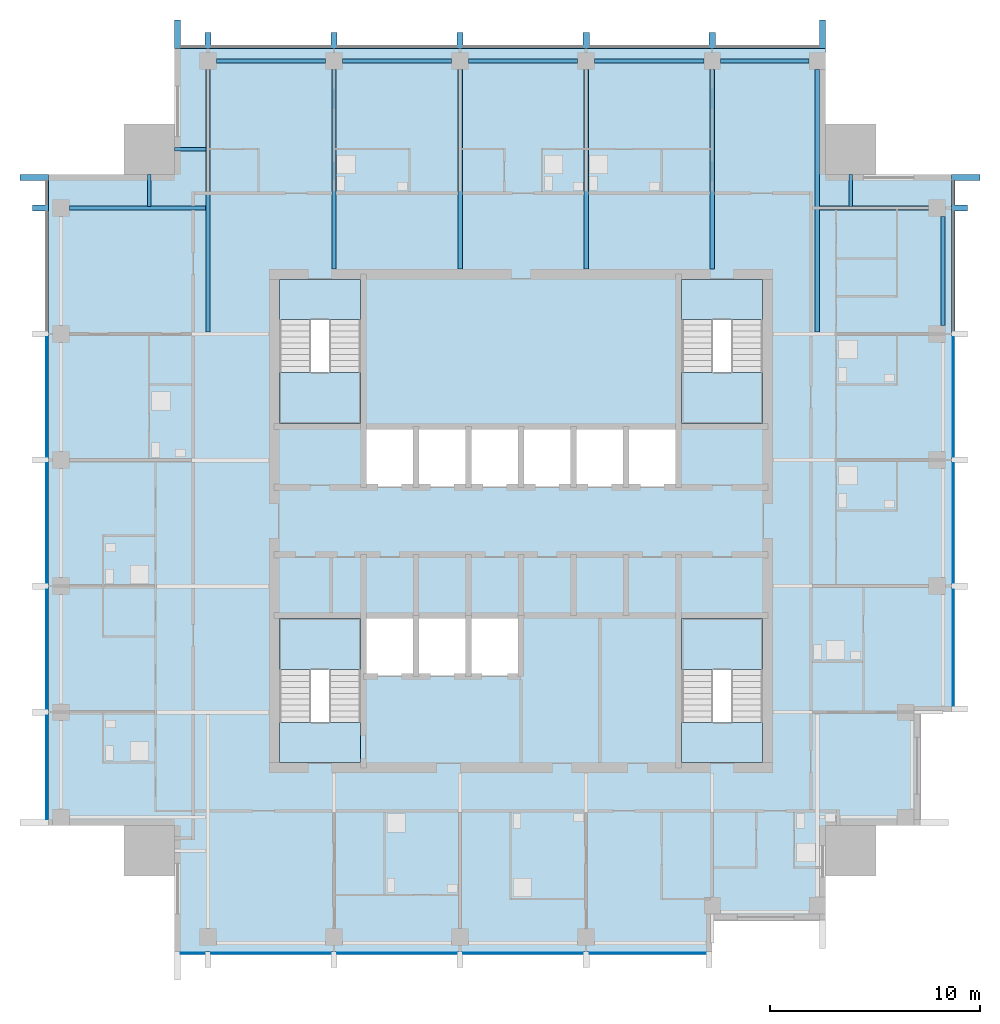
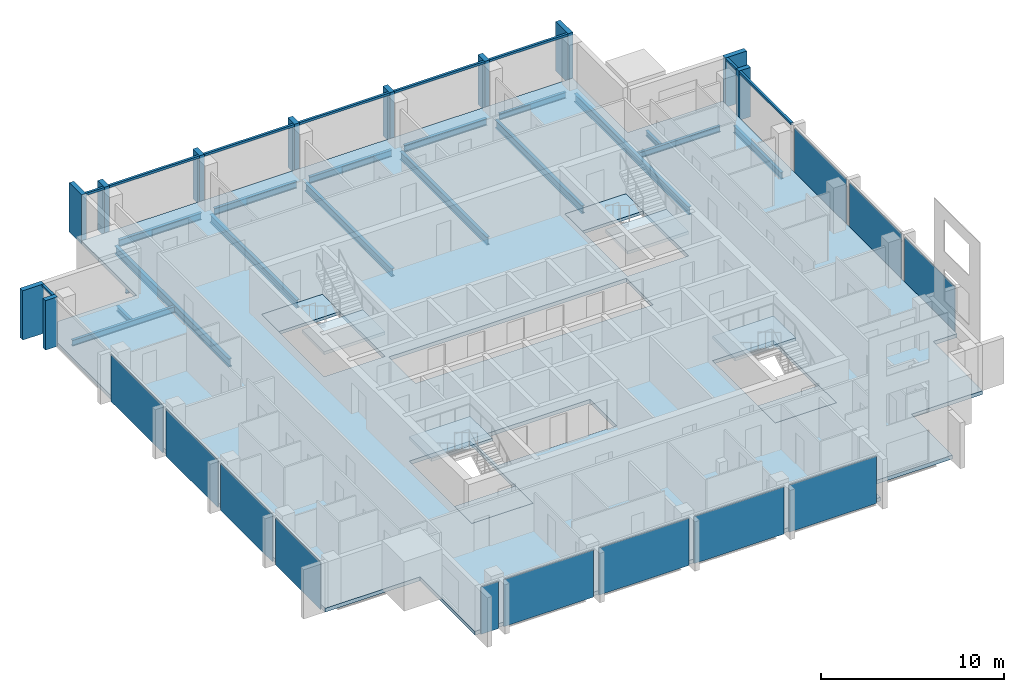
# One storey, part 2 of 9: 20 members, 17 beams, 12 plates, 9 slabs, 8 elements without a shape of their own.
"""IFC4 building model written with IfcOpenShell, lengths in metres."""

from ifc_helpers import new_model, si_unit, direction, frame, origin, origin_2d, place, context, subcontext, project, spatial, polyline, rectangle, i_section, outline, extrude, material, layer, layer_set, material_profile, profile_set, type_object, element, aggregate, save


model = new_model("IFC4")

# Units and contexts
model_context = context("Model", 3, precision=1e-05, world=origin(), true_north=direction((0.0, 1.0)))
body_context = subcontext(model_context, "Body", "Model", "MODEL_VIEW")
ifc_project = project(units=[si_unit("LENGTHUNIT", "METRE"), si_unit("AREAUNIT", "SQUARE_METRE"), si_unit("VOLUMEUNIT", "CUBIC_METRE"), si_unit("PLANEANGLEUNIT", "RADIAN"), si_unit("MASSUNIT", "GRAM", prefix="KILO")], contexts=[model_context])

# Site, building, storey
site_placement = place(None, origin())
site = spatial("IfcSite", under=ifc_project, at=site_placement, CompositionType="ELEMENT")
building_placement = place(site_placement, origin())
building = spatial("IfcBuilding", under=site, at=building_placement, Name="Amberfall Residences", CompositionType="ELEMENT")
storey_placement = place(building_placement, frame((0.0, 0.0, 258.699951171875)))
storey = spatial("IfcBuildingStorey", under=building, at=storey_placement, Name="L69", CompositionType="ELEMENT", Elevation=258.699951171875)

# Curtain wall, members
ifc_material_1 = material(Name="Bronze anodised aluminium and glass", Category="aluminium")
curtain_wall_type = type_object("IfcCurtainWallType", Name="Curtain wall CW1 tower unit", PredefinedType="USERDEFINED", material=ifc_material_1)
curtain_wall_1_placement = place(storey_placement, origin())
curtain_wall_1 = element("IfcCurtainWall", 1, at=curtain_wall_1_placement, inside=storey, type_object=curtain_wall_type, Name="Curtain wall L69 E E3", ObjectType="UNITISED CURTAIN WALL", PredefinedType="USERDEFINED")
ifc_material_2 = material(Name="Bronze anodised aluminium", Category="aluminium")
ifc_material_profile_1 = material_profile(ifc_material_2, rectangle(XDim=0.14990234375, YDim=0.14990234375, at=origin_2d()), Name="CW1 transom 150 x 150 bronze")
ifc_profile_set_1 = profile_set([ifc_material_profile_1], Name="Bronze anodised aluminium")
member_type_1 = type_object("IfcMemberType", Name="CW1 transom 150 x 150 bronze", PredefinedType="USERDEFINED", material=ifc_profile_set_1)
member_1_placement = place(storey_placement, frame((95.074951171875, 54.550048828125, 2.97509765625), z_axis=(0.0, 1.0, 0.0), x_axis=(-1.0, 0.0, 0.0)))
member_1 = element("IfcMember", 2, at=member_1_placement, type_object=member_type_1, Name="CW1 transom 4.1", ObjectType="TRANSOM", PredefinedType="USERDEFINED", context=body_context, shape_type="SweptSolid", body=[
    extrude(rectangle(XDim=0.14990234375, YDim=0.14990234375, at=origin_2d()), origin(), (0.0, 0.0, 1.0), 5.699951171875),
])
member_2_placement = place(storey_placement, frame((95.074951171875, 60.550048828125, 2.97509765625), z_axis=(0.0, 1.0, 0.0), x_axis=(-1.0, 0.0, 0.0)))
member_2 = element("IfcMember", 3, at=member_2_placement, type_object=member_type_1, Name="CW1 transom 5.1", ObjectType="TRANSOM", PredefinedType="USERDEFINED", context=body_context, shape_type="SweptSolid", body=[
    extrude(rectangle(XDim=0.14990234375, YDim=0.14990234375, at=origin_2d()), origin(), (0.0, 0.0, 1.0), 1.14990234375),
])

curtain_wall_2_placement = place(storey_placement, origin())
curtain_wall_2 = element("IfcCurtainWall", 4, at=curtain_wall_2_placement, inside=storey, type_object=curtain_wall_type, Name="Curtain wall L69 N N1", ObjectType="UNITISED CURTAIN WALL", PredefinedType="USERDEFINED")
member_3_placement = place(storey_placement, frame((88.699951171875, 68.074951171875, 2.97509765625), z_axis=(-1.0, 0.0, 0.0), x_axis=(0.0, -1.0, 0.0)))
member_3 = element("IfcMember", 5, at=member_3_placement, type_object=member_type_1, Name="CW1 transom 1.1", ObjectType="TRANSOM", PredefinedType="USERDEFINED", context=body_context, shape_type="SweptSolid", body=[
    extrude(rectangle(XDim=0.14990234375, YDim=0.14990234375, at=origin_2d()), origin(), (0.0, 0.0, 1.0), 4.949951171875),
])
member_4_placement = place(storey_placement, frame((83.449951171875, 68.074951171875, 2.97509765625), z_axis=(-1.0, 0.0, 0.0), x_axis=(0.0, -1.0, 0.0)))
member_4 = element("IfcMember", 6, at=member_4_placement, type_object=member_type_1, Name="CW1 transom 2.1", ObjectType="TRANSOM", PredefinedType="USERDEFINED", context=body_context, shape_type="SweptSolid", body=[
    extrude(rectangle(XDim=0.14990234375, YDim=0.14990234375, at=origin_2d()), origin(), (0.0, 0.0, 1.0), 5.699951171875),
])
member_5_placement = place(storey_placement, frame((77.449951171875, 68.074951171875, 2.97509765625), z_axis=(-1.0, 0.0, 0.0), x_axis=(0.0, -1.0, 0.0)))
member_5 = element("IfcMember", 7, at=member_5_placement, type_object=member_type_1, Name="CW1 transom 3.1", ObjectType="TRANSOM", PredefinedType="USERDEFINED", context=body_context, shape_type="SweptSolid", body=[
    extrude(rectangle(XDim=0.14990234375, YDim=0.14990234375, at=origin_2d()), origin(), (0.0, 0.0, 1.0), 5.699951171875),
])
member_6_placement = place(storey_placement, frame((71.449951171875, 68.074951171875, 2.97509765625), z_axis=(-1.0, 0.0, 0.0), x_axis=(0.0, -1.0, 0.0)))
member_6 = element("IfcMember", 8, at=member_6_placement, type_object=member_type_1, Name="CW1 transom 4.1", ObjectType="TRANSOM", PredefinedType="USERDEFINED", context=body_context, shape_type="SweptSolid", body=[
    extrude(rectangle(XDim=0.14990234375, YDim=0.14990234375, at=origin_2d()), origin(), (0.0, 0.0, 1.0), 5.699951171875),
])
member_7_placement = place(storey_placement, frame((65.449951171875, 68.074951171875, 2.97509765625), z_axis=(-1.0, 0.0, 0.0), x_axis=(0.0, -1.0, 0.0)))
member_7 = element("IfcMember", 9, at=member_7_placement, type_object=member_type_1, Name="CW1 transom 5.1", ObjectType="TRANSOM", PredefinedType="USERDEFINED", context=body_context, shape_type="SweptSolid", body=[
    extrude(rectangle(XDim=0.14990234375, YDim=0.14990234375, at=origin_2d()), origin(), (0.0, 0.0, 1.0), 5.699951171875),
])
member_8_placement = place(storey_placement, frame((59.449951171875, 68.074951171875, 2.97509765625), z_axis=(-1.0, 0.0, 0.0), x_axis=(0.0, -1.0, 0.0)))
member_8 = element("IfcMember", 10, at=member_8_placement, type_object=member_type_1, Name="CW1 transom 6.1", ObjectType="TRANSOM", PredefinedType="USERDEFINED", context=body_context, shape_type="SweptSolid", body=[
    extrude(rectangle(XDim=0.14990234375, YDim=0.14990234375, at=origin_2d()), origin(), (0.0, 0.0, 1.0), 1.14990234375),
])

# Curtain wall, member
curtain_wall_3_placement = place(storey_placement, origin())
curtain_wall_3 = element("IfcCurtainWall", 11, at=curtain_wall_3_placement, inside=storey, type_object=curtain_wall_type, Name="Curtain wall L69 W W1", ObjectType="UNITISED CURTAIN WALL", PredefinedType="USERDEFINED")
member_9_placement = place(storey_placement, frame((51.925048828125, 61.699951171875, 2.97509765625), z_axis=(0.0, -1.0, 0.0), x_axis=(1.0, 0.0, 0.0)))
member_9 = element("IfcMember", 12, at=member_9_placement, type_object=member_type_1, Name="CW1 transom 1.1", ObjectType="TRANSOM", PredefinedType="USERDEFINED", context=body_context, shape_type="SweptSolid", body=[
    extrude(rectangle(XDim=0.14990234375, YDim=0.14990234375, at=origin_2d()), origin(), (0.0, 0.0, 1.0), 1.14990234375),
])

# Member
ifc_material_profile_2 = material_profile(ifc_material_2, rectangle(XDim=1.35009765625, YDim=0.300048828125, at=origin_2d()), Name="Corner fin 300 x 1350 bronze")
ifc_profile_set_2 = profile_set([ifc_material_profile_2], Name="Bronze anodised aluminium")
member_type_2 = type_object("IfcMemberType", Name="Corner fin 300 x 1350 bronze", PredefinedType="MULLION", material=ifc_profile_set_2)
member_10_placement = place(storey_placement, frame((95.675048828125, 61.85009765625, -0.25), z_axis=(0.0, 0.0, 1.0), x_axis=(-1.0, 0.0, 0.0)))
member_10 = element("IfcMember", 13, at=member_10_placement, type_object=member_type_2, Name="CW FIN 6", PredefinedType="MULLION", context=body_context, shape_type="SweptSolid", body=[
    extrude(rectangle(XDim=1.35009765625, YDim=0.300048828125, at=origin_2d()), origin(), (0.0, 0.0, 1.0), 3.300048828125),
])

member_11_placement = place(storey_placement, frame((88.85009765625, 68.675048828125, -0.25), z_axis=(0.0, 0.0, 1.0), x_axis=(0.0, -1.0, 0.0)))
member_11 = element("IfcMember", 14, at=member_11_placement, type_object=member_type_2, Name="CW FIN 1", PredefinedType="MULLION", context=body_context, shape_type="SweptSolid", body=[
    extrude(rectangle(XDim=1.35009765625, YDim=0.300048828125, at=origin_2d()), origin(), (0.0, 0.0, 1.0), 3.300048828125),
])

member_12_placement = place(storey_placement, frame((58.14990234375, 68.675048828125, -0.25), z_axis=(0.0, 0.0, 1.0), x_axis=(0.0, -1.0, 0.0)))
member_12 = element("IfcMember", 15, at=member_12_placement, type_object=member_type_2, Name="CW FIN 7", PredefinedType="MULLION", context=body_context, shape_type="SweptSolid", body=[
    extrude(rectangle(XDim=1.35009765625, YDim=0.300048828125, at=origin_2d()), origin(), (0.0, 0.0, 1.0), 3.300048828125),
])

member_13_placement = place(storey_placement, frame((51.324951171875, 61.85009765625, -0.25), z_axis=(0.0, 0.0, 1.0), x_axis=(1.0, 0.0, 0.0)))
member_13 = element("IfcMember", 16, at=member_13_placement, type_object=member_type_2, Name="CW FIN 1", PredefinedType="MULLION", context=body_context, shape_type="SweptSolid", body=[
    extrude(rectangle(XDim=1.35009765625, YDim=0.300048828125, at=origin_2d()), origin(), (0.0, 0.0, 1.0), 3.300048828125),
])

# Beams
ifc_material_3 = material(Name="Steel S355", Category="steel")
ifc_material_profile_3 = material_profile(ifc_material_3, i_section(OverallWidth=0.177734375, OverallDepth=0.402587890625, WebThickness=0.0078125, FlangeThickness=0.010986328125, FilletRadius=0.01025390625, at=origin_2d()), Name="UB 406x178x54")
ifc_profile_set_3 = profile_set([ifc_material_profile_3], Name="Steel S355")
beam_type_1 = type_object("IfcBeamType", Name="Edge beam UB 406x178x54", PredefinedType="SPANDREL", material=ifc_profile_set_3)
beam_1_placement = place(storey_placement, frame((84.0, 67.39990234375, -0.451171875), z_axis=(1.0, 0.0, 0.0), x_axis=(0.0, 1.0, 0.0)))
element("IfcBeam", 17, at=beam_1_placement, inside=storey, type_object=beam_type_1, Name="Edge beam B14 L69 29", PredefinedType="SPANDREL", context=body_context, shape_type="SweptSolid", body=[
    extrude(i_section(OverallWidth=0.177734375, OverallDepth=0.402587890625, WebThickness=0.0078125, FlangeThickness=0.010986328125, FilletRadius=0.01025390625, at=origin_2d()), origin(), (0.0, 0.0, 1.0), 4.199951171875),
])
ifc_material_profile_4 = material_profile(ifc_material_3, i_section(OverallWidth=0.18994140625, OverallDepth=0.453369140625, WebThickness=0.008544921875, FlangeThickness=0.0126953125, FilletRadius=0.01025390625, at=origin_2d()), Name="UB 457x191x67")
ifc_profile_set_4 = profile_set([ifc_material_profile_4], Name="Steel S355")
beam_type_2 = type_object("IfcBeamType", Name="Edge beam UB 457x191x67", PredefinedType="SPANDREL", material=ifc_profile_set_4)
for number, where, z_axis, x_axis, name in (
    (18, (94.60009765625, 54.800048828125, -0.4765625), (0.0, 1.0, 0.0), (-1.0, 0.0, 0.0), "Edge beam B1 L69 17"),
    (19, (60.0, 67.39990234375, -0.4765625), (1.0, 0.0, 0.0), (0.0, 1.0, 0.0), "Edge beam B1 L69 25"),
    (20, (66.0, 67.39990234375, -0.4765625), (1.0, 0.0, 0.0), (0.0, 1.0, 0.0), "Edge beam B1 L69 26"),
    (21, (72.0, 67.39990234375, -0.4765625), (1.0, 0.0, 0.0), (0.0, 1.0, 0.0), "Edge beam B1 L69 27"),
    (22, (78.0, 67.39990234375, -0.4765625), (1.0, 0.0, 0.0), (0.0, 1.0, 0.0), "Edge beam B1 L69 28"),
):
    element("IfcBeam", number, at=place(storey_placement, frame(where, z_axis=z_axis, x_axis=x_axis)), inside=storey, type_object=beam_type_2, Name=name, PredefinedType="SPANDREL", context=body_context, shape_type="SweptSolid", body=[
        extrude(i_section(OverallWidth=0.18994140625, OverallDepth=0.453369140625, WebThickness=0.008544921875, FlangeThickness=0.0126953125, FilletRadius=0.01025390625, at=origin_2d()), origin(), (0.0, 0.0, 1.0), 5.199951171875),
    ])

# Member
ifc_material_profile_5 = material_profile(ifc_material_2, rectangle(XDim=0.75, YDim=0.300048828125, at=origin_2d()), Name="Fin 300 x 750 bronze")
ifc_profile_set_5 = profile_set([ifc_material_profile_5], Name="Bronze anodised aluminium")
member_type_3 = type_object("IfcMemberType", Name="Fin 300 x 750 bronze", PredefinedType="MULLION", material=ifc_profile_set_5)
member_14_placement = place(storey_placement, frame((95.375, 60.39990234375, -0.25), z_axis=(0.0, 0.0, 1.0), x_axis=(-1.0, 0.0, 0.0)))
member_14 = element("IfcMember", 23, at=member_14_placement, type_object=member_type_3, Name="CW FIN 5", PredefinedType="MULLION", context=body_context, shape_type="SweptSolid", body=[
    extrude(rectangle(XDim=0.75, YDim=0.300048828125, at=origin_2d()), origin(), (0.0, 0.0, 1.0), 3.300048828125),
])

member_15_placement = place(storey_placement, frame((83.60009765625, 68.375, -0.25), z_axis=(0.0, 0.0, 1.0), x_axis=(0.0, -1.0, 0.0)))
member_15 = element("IfcMember", 24, at=member_15_placement, type_object=member_type_3, Name="CW FIN 2", PredefinedType="MULLION", context=body_context, shape_type="SweptSolid", body=[
    extrude(rectangle(XDim=0.75, YDim=0.300048828125, at=origin_2d()), origin(), (0.0, 0.0, 1.0), 3.300048828125),
])

member_16_placement = place(storey_placement, frame((77.60009765625, 68.375, -0.25), z_axis=(0.0, 0.0, 1.0), x_axis=(0.0, -1.0, 0.0)))
member_16 = element("IfcMember", 25, at=member_16_placement, type_object=member_type_3, Name="CW FIN 3", PredefinedType="MULLION", context=body_context, shape_type="SweptSolid", body=[
    extrude(rectangle(XDim=0.75, YDim=0.300048828125, at=origin_2d()), origin(), (0.0, 0.0, 1.0), 3.300048828125),
])

member_17_placement = place(storey_placement, frame((71.60009765625, 68.375, -0.25), z_axis=(0.0, 0.0, 1.0), x_axis=(0.0, -1.0, 0.0)))
member_17 = element("IfcMember", 26, at=member_17_placement, type_object=member_type_3, Name="CW FIN 4", PredefinedType="MULLION", context=body_context, shape_type="SweptSolid", body=[
    extrude(rectangle(XDim=0.75, YDim=0.300048828125, at=origin_2d()), origin(), (0.0, 0.0, 1.0), 3.300048828125),
])

member_18_placement = place(storey_placement, frame((65.60009765625, 68.375, -0.25), z_axis=(0.0, 0.0, 1.0), x_axis=(0.0, -1.0, 0.0)))
member_18 = element("IfcMember", 27, at=member_18_placement, type_object=member_type_3, Name="CW FIN 5", PredefinedType="MULLION", context=body_context, shape_type="SweptSolid", body=[
    extrude(rectangle(XDim=0.75, YDim=0.300048828125, at=origin_2d()), origin(), (0.0, 0.0, 1.0), 3.300048828125),
])

member_19_placement = place(storey_placement, frame((59.60009765625, 68.375, -0.25), z_axis=(0.0, 0.0, 1.0), x_axis=(0.0, -1.0, 0.0)))
member_19 = element("IfcMember", 28, at=member_19_placement, type_object=member_type_3, Name="CW FIN 6", PredefinedType="MULLION", context=body_context, shape_type="SweptSolid", body=[
    extrude(rectangle(XDim=0.75, YDim=0.300048828125, at=origin_2d()), origin(), (0.0, 0.0, 1.0), 3.300048828125),
])

aggregate(curtain_wall_2, [member_11, member_15, member_16, member_17, member_18, member_19, member_12, member_3, member_4, member_5, member_6, member_7, member_8])

member_20_placement = place(storey_placement, frame((51.625, 60.39990234375, -0.25), z_axis=(0.0, 0.0, 1.0), x_axis=(1.0, 0.0, 0.0)))
member_20 = element("IfcMember", 29, at=member_20_placement, type_object=member_type_3, Name="CW FIN 2", PredefinedType="MULLION", context=body_context, shape_type="SweptSolid", body=[
    extrude(rectangle(XDim=0.75, YDim=0.300048828125, at=origin_2d()), origin(), (0.0, 0.0, 1.0), 3.300048828125),
])

# Beams
ifc_material_profile_6 = material_profile(ifc_material_3, i_section(OverallWidth=0.177734375, OverallDepth=0.402587890625, WebThickness=0.0078125, FlangeThickness=0.010986328125, FilletRadius=0.01025390625, at=origin_2d()), Name="UB 406x178x54")
ifc_profile_set_6 = profile_set([ifc_material_profile_6], Name="Steel S355")
beam_type_3 = type_object("IfcBeamType", Name="Floor girder UB 406x178x54", PredefinedType="BEAM", material=ifc_profile_set_6)
beam_2_placement = place(storey_placement, frame((93.89990234375, 60.39990234375, -0.451171875), z_axis=(-1.0, 0.0, 0.0), x_axis=(0.0, -1.0, 0.0)))
element("IfcBeam", 30, at=beam_2_placement, inside=storey, type_object=beam_type_3, Name="Floor girder B4 L69 24", PredefinedType="BEAM", context=body_context, shape_type="SweptSolid", body=[
    extrude(i_section(OverallWidth=0.177734375, OverallDepth=0.402587890625, WebThickness=0.0078125, FlangeThickness=0.010986328125, FilletRadius=0.01025390625, at=origin_2d()), origin(), (0.0, 0.0, 1.0), 5.179931640625),
])
beam_3_placement = place(storey_placement, frame((53.0, 60.39990234375, -0.451171875), z_axis=(1.0, 0.0, 0.0), x_axis=(0.0, 1.0, 0.0)))
element("IfcBeam", 31, at=beam_3_placement, inside=storey, type_object=beam_type_3, Name="Floor girder B4 L69 46", PredefinedType="BEAM", context=body_context, shape_type="SweptSolid", body=[
    extrude(i_section(OverallWidth=0.177734375, OverallDepth=0.402587890625, WebThickness=0.0078125, FlangeThickness=0.010986328125, FilletRadius=0.01025390625, at=origin_2d()), origin(), (0.0, 0.0, 1.0), 6.47998046875),
])
ifc_material_profile_7 = material_profile(ifc_material_3, i_section(OverallWidth=0.210693359375, OverallDepth=0.53955078125, WebThickness=0.01171875, FlangeThickness=0.018798828125, FilletRadius=0.0126953125, at=origin_2d()), Name="UB 533x210x109")
ifc_profile_set_7 = profile_set([ifc_material_profile_7], Name="Steel S355")
beam_type_4 = type_object("IfcBeamType", Name="Floor girder UB 533x210x109", PredefinedType="BEAM", material=ifc_profile_set_7)
beam_4_placement = place(storey_placement, frame((59.60009765625, 67.0, -0.519775390625), z_axis=(0.0, -1.0, 0.0), x_axis=(1.0, 0.0, 0.0)))
element("IfcBeam", 32, at=beam_4_placement, inside=storey, type_object=beam_type_4, Name="Floor girder B2 L69 30", PredefinedType="BEAM", context=body_context, shape_type="SweptSolid", body=[
    extrude(i_section(OverallWidth=0.210693359375, OverallDepth=0.53955078125, WebThickness=0.01171875, FlangeThickness=0.018798828125, FilletRadius=0.0126953125, at=origin_2d()), origin(), (0.0, 0.0, 1.0), 12.50048828125),
])
beam_5_placement = place(storey_placement, frame((88.60009765625, 67.0, -0.519775390625), z_axis=(0.0, -1.0, 0.0), x_axis=(1.0, 0.0, 0.0)))
element("IfcBeam", 33, at=beam_5_placement, inside=storey, type_object=beam_type_4, Name="Floor girder B2 L69 35", PredefinedType="BEAM", context=body_context, shape_type="SweptSolid", body=[
    extrude(i_section(OverallWidth=0.210693359375, OverallDepth=0.53955078125, WebThickness=0.01171875, FlangeThickness=0.018798828125, FilletRadius=0.0126953125, at=origin_2d()), origin(), (0.0, 0.0, 1.0), 12.509521484375),
])
ifc_material_profile_8 = material_profile(ifc_material_3, i_section(OverallWidth=0.209228515625, OverallDepth=0.533203125, WebThickness=0.010009765625, FlangeThickness=0.015625, FilletRadius=0.0126953125, at=origin_2d()), Name="UB 533x210x92")
ifc_profile_set_8 = profile_set([ifc_material_profile_8], Name="Steel S355")
beam_type_5 = type_object("IfcBeamType", Name="Floor girder UB 533x210x92", PredefinedType="BEAM", material=ifc_profile_set_8)
for number, where, z_axis, x_axis, name in (
    (34, (65.60009765625, 67.0, -0.5166015625), (0.0, -1.0, 0.0), (1.0, 0.0, 0.0), "Floor girder B3 L69 31"),
    (35, (71.60009765625, 67.0, -0.5166015625), (0.0, -1.0, 0.0), (1.0, 0.0, 0.0), "Floor girder B3 L69 32"),
    (36, (77.60009765625, 67.0, -0.5166015625), (0.0, -1.0, 0.0), (1.0, 0.0, 0.0), "Floor girder B3 L69 33"),
    (37, (83.60009765625, 67.0, -0.5166015625), (0.0, -1.0, 0.0), (1.0, 0.0, 0.0), "Floor girder B3 L69 34"),
):
    element("IfcBeam", number, at=place(storey_placement, frame(where, z_axis=z_axis, x_axis=x_axis)), inside=storey, type_object=beam_type_5, Name=name, PredefinedType="BEAM", context=body_context, shape_type="SweptSolid", body=[
        extrude(i_section(OverallWidth=0.209228515625, OverallDepth=0.533203125, WebThickness=0.010009765625, FlangeThickness=0.015625, FilletRadius=0.0126953125, at=origin_2d()), origin(), (0.0, 0.0, 1.0), 9.5),
    ])
ifc_material_profile_9 = material_profile(ifc_material_3, i_section(OverallWidth=0.171142578125, OverallDepth=0.351318359375, WebThickness=0.007080078125, FlangeThickness=0.009765625, FilletRadius=0.01025390625, at=origin_2d()), Name="UB 356x171x45")
ifc_profile_set_9 = profile_set([ifc_material_profile_9], Name="Steel S355")
beam_type_6 = type_object("IfcBeamType", Name="Link beam UB 356x171x45", PredefinedType="BEAM", material=ifc_profile_set_9)
beam_6_placement = place(storey_placement, frame((90.199951171875, 62.0, -0.425537109375), z_axis=(0.0, -1.0, 0.0), x_axis=(1.0, 0.0, 0.0)))
element("IfcBeam", 38, at=beam_6_placement, inside=storey, type_object=beam_type_6, Name="Link beam B7 L69 48", PredefinedType="BEAM", context=body_context, shape_type="SweptSolid", body=[
    extrude(i_section(OverallWidth=0.171142578125, OverallDepth=0.351318359375, WebThickness=0.007080078125, FlangeThickness=0.009765625, FilletRadius=0.01025390625, at=origin_2d()), origin(), (0.0, 0.0, 1.0), 1.52099609375),
])
beam_7_placement = place(storey_placement, frame((58.0, 63.199951171875, -0.425537109375), z_axis=(1.0, 0.0, 0.0), x_axis=(0.0, 1.0, 0.0)))
element("IfcBeam", 39, at=beam_7_placement, inside=storey, type_object=beam_type_6, Name="Link beam B7 L69 49", PredefinedType="BEAM", context=body_context, shape_type="SweptSolid", body=[
    extrude(i_section(OverallWidth=0.171142578125, OverallDepth=0.351318359375, WebThickness=0.007080078125, FlangeThickness=0.009765625, FilletRadius=0.01025390625, at=origin_2d()), origin(), (0.0, 0.0, 1.0), 1.504638671875),
])
beam_8_placement = place(storey_placement, frame((56.800048828125, 62.0, -0.425537109375), z_axis=(0.0, -1.0, 0.0), x_axis=(1.0, 0.0, 0.0)))
element("IfcBeam", 40, at=beam_8_placement, inside=storey, type_object=beam_type_6, Name="Link beam B7 L69 50", PredefinedType="BEAM", context=body_context, shape_type="SweptSolid", body=[
    extrude(i_section(OverallWidth=0.171142578125, OverallDepth=0.351318359375, WebThickness=0.007080078125, FlangeThickness=0.009765625, FilletRadius=0.01025390625, at=origin_2d()), origin(), (0.0, 0.0, 1.0), 1.52099609375),
])

# Curtain wall, plates
curtain_wall_4_placement = place(storey_placement, origin())
curtain_wall_4 = element("IfcCurtainWall", 41, at=curtain_wall_4_placement, inside=storey, type_object=curtain_wall_type, Name="Curtain wall L69 S S1", ObjectType="UNITISED CURTAIN WALL", PredefinedType="USERDEFINED")
ifc_material_4 = material(Name="Tinted double glazed unit", Category="glass")
ifc_layer_1 = layer(ifc_material_4, 0.035888671875)
ifc_layer_set_1 = layer_set([ifc_layer_1], Name="CW1 panel 36 glazing")
plate_type = type_object("IfcPlateType", Name="CW1 panel 36 glazing", PredefinedType="CURTAIN_PANEL", material=ifc_layer_set_1)
plate_1_placement = place(storey_placement, frame((58.875, 24.925048828125, -0.25), z_axis=(0.0, 0.0, 1.0), x_axis=(1.0, 0.0, 0.0)))
plate_1 = element("IfcPlate", 42, at=plate_1_placement, type_object=plate_type, Name="CW1 panel 1.1", PredefinedType="CURTAIN_PANEL", context=body_context, shape_type="SweptSolid", body=[
    extrude(rectangle(XDim=1.1259765625, YDim=0.035888671875, at=origin_2d()), origin(), (0.0, 0.0, 1.0), 3.14990234375),
])
plate_2_placement = place(storey_placement, frame((62.60009765625, 24.925048828125, -0.25), z_axis=(0.0, 0.0, 1.0), x_axis=(1.0, 0.0, 0.0)))
plate_2 = element("IfcPlate", 43, at=plate_2_placement, type_object=plate_type, Name="CW1 panel 2.1", PredefinedType="CURTAIN_PANEL", context=body_context, shape_type="SweptSolid", body=[
    extrude(rectangle(XDim=5.676025390625, YDim=0.035888671875, at=origin_2d()), origin(), (0.0, 0.0, 1.0), 3.14990234375),
])
plate_3_placement = place(storey_placement, frame((68.60009765625, 24.925048828125, -0.25), z_axis=(0.0, 0.0, 1.0), x_axis=(1.0, 0.0, 0.0)))
plate_3 = element("IfcPlate", 44, at=plate_3_placement, type_object=plate_type, Name="CW1 panel 3.1", PredefinedType="CURTAIN_PANEL", context=body_context, shape_type="SweptSolid", body=[
    extrude(rectangle(XDim=5.676025390625, YDim=0.035888671875, at=origin_2d()), origin(), (0.0, 0.0, 1.0), 3.14990234375),
])
plate_4_placement = place(storey_placement, frame((74.60009765625, 24.925048828125, -0.25), z_axis=(0.0, 0.0, 1.0), x_axis=(1.0, 0.0, 0.0)))
plate_4 = element("IfcPlate", 45, at=plate_4_placement, type_object=plate_type, Name="CW1 panel 4.1", PredefinedType="CURTAIN_PANEL", context=body_context, shape_type="SweptSolid", body=[
    extrude(rectangle(XDim=5.676025390625, YDim=0.035888671875, at=origin_2d()), origin(), (0.0, 0.0, 1.0), 3.14990234375),
])
plate_5_placement = place(storey_placement, frame((80.52490234375, 24.925048828125, -0.25), z_axis=(0.0, 0.0, 1.0), x_axis=(1.0, 0.0, 0.0)))
plate_5 = element("IfcPlate", 46, at=plate_5_placement, type_object=plate_type, Name="CW1 panel 5.1", PredefinedType="CURTAIN_PANEL", context=body_context, shape_type="SweptSolid", body=[
    extrude(rectangle(XDim=5.52587890625, YDim=0.035888671875, at=origin_2d()), origin(), (0.0, 0.0, 1.0), 3.14990234375),
])
aggregate(curtain_wall_4, [plate_1, plate_2, plate_3, plate_4, plate_5])

# Plate
plate_6_placement = place(storey_placement, frame((95.074951171875, 39.47509765625, -0.25), z_axis=(0.0, 0.0, 1.0), x_axis=(0.0, 1.0, 0.0)))
plate_6 = element("IfcPlate", 47, at=plate_6_placement, type_object=plate_type, Name="CW1 panel 1.1", PredefinedType="CURTAIN_PANEL", context=body_context, shape_type="SweptSolid", body=[
    extrude(rectangle(XDim=5.52587890625, YDim=0.035888671875, at=origin_2d()), origin(), (0.0, 0.0, 1.0), 3.14990234375),
])

plate_7_placement = place(storey_placement, frame((95.074951171875, 45.39990234375, -0.25), z_axis=(0.0, 0.0, 1.0), x_axis=(0.0, 1.0, 0.0)))
plate_7 = element("IfcPlate", 48, at=plate_7_placement, type_object=plate_type, Name="CW1 panel 2.1", PredefinedType="CURTAIN_PANEL", context=body_context, shape_type="SweptSolid", body=[
    extrude(rectangle(XDim=5.676025390625, YDim=0.035888671875, at=origin_2d()), origin(), (0.0, 0.0, 1.0), 3.14990234375),
])

plate_8_placement = place(storey_placement, frame((95.074951171875, 51.39990234375, -0.25), z_axis=(0.0, 0.0, 1.0), x_axis=(0.0, 1.0, 0.0)))
plate_8 = element("IfcPlate", 49, at=plate_8_placement, type_object=plate_type, Name="CW1 panel 3.1", PredefinedType="CURTAIN_PANEL", context=body_context, shape_type="SweptSolid", body=[
    extrude(rectangle(XDim=5.676025390625, YDim=0.035888671875, at=origin_2d()), origin(), (0.0, 0.0, 1.0), 3.14990234375),
])

aggregate(curtain_wall_1, [member_14, member_10, plate_6, plate_7, plate_8, member_1, member_2])

plate_9_placement = place(storey_placement, frame((51.925048828125, 51.39990234375, -0.25), z_axis=(0.0, 0.0, 1.0), x_axis=(0.0, -1.0, 0.0)))
plate_9 = element("IfcPlate", 50, at=plate_9_placement, type_object=plate_type, Name="CW1 panel 3.1", PredefinedType="CURTAIN_PANEL", context=body_context, shape_type="SweptSolid", body=[
    extrude(rectangle(XDim=5.676025390625, YDim=0.035888671875, at=origin_2d()), origin(), (0.0, 0.0, 1.0), 3.14990234375),
])

plate_10_placement = place(storey_placement, frame((51.925048828125, 45.39990234375, -0.25), z_axis=(0.0, 0.0, 1.0), x_axis=(0.0, -1.0, 0.0)))
plate_10 = element("IfcPlate", 51, at=plate_10_placement, type_object=plate_type, Name="CW1 panel 4.1", PredefinedType="CURTAIN_PANEL", context=body_context, shape_type="SweptSolid", body=[
    extrude(rectangle(XDim=5.676025390625, YDim=0.035888671875, at=origin_2d()), origin(), (0.0, 0.0, 1.0), 3.14990234375),
])

plate_11_placement = place(storey_placement, frame((51.925048828125, 39.39990234375, -0.25), z_axis=(0.0, 0.0, 1.0), x_axis=(0.0, -1.0, 0.0)))
plate_11 = element("IfcPlate", 52, at=plate_11_placement, type_object=plate_type, Name="CW1 panel 5.1", PredefinedType="CURTAIN_PANEL", context=body_context, shape_type="SweptSolid", body=[
    extrude(rectangle(XDim=5.676025390625, YDim=0.035888671875, at=origin_2d()), origin(), (0.0, 0.0, 1.0), 3.14990234375),
])

plate_12_placement = place(storey_placement, frame((51.925048828125, 33.77490234375, -0.25), z_axis=(0.0, 0.0, 1.0), x_axis=(0.0, -1.0, 0.0)))
plate_12 = element("IfcPlate", 53, at=plate_12_placement, type_object=plate_type, Name="CW1 panel 6.1", PredefinedType="CURTAIN_PANEL", context=body_context, shape_type="SweptSolid", body=[
    extrude(rectangle(XDim=4.926025390625, YDim=0.035888671875, at=origin_2d()), origin(), (0.0, 0.0, 1.0), 3.14990234375),
])

aggregate(curtain_wall_3, [member_13, member_20, member_9, plate_9, plate_10, plate_11, plate_12])

# Slab
ifc_material_5 = material(Name="Concrete C50", Category="concrete")
ifc_layer_2 = layer(ifc_material_5, 0.25)
ifc_layer_set_2 = layer_set([ifc_layer_2], Name="Floor slab 250 C50")
slab_type_1 = type_object("IfcSlabType", Name="Floor slab 250 C50", PredefinedType="FLOOR", material=ifc_layer_set_2)
slab_1_placement = place(storey_placement, frame((0.0, 0.0, -0.25)))
element("IfcSlab", 54, at=slab_1_placement, inside=storey, type_object=slab_type_1, Name="Floor slab S19 L69", PredefinedType="FLOOR", context=body_context, shape_type="SweptSolid", body=[
    extrude(outline(polyline([(83.60009765625, 26.5), (83.60009765625, 25.0), (58.0, 25.0), (58.0, 31.0), (52.0, 31.0), (52.0, 62.0), (58.0, 62.0), (58.0, 68.0), (89.0, 68.0), (89.0, 62.0), (95.0, 62.0), (95.0, 36.39990234375), (93.5, 36.39990234375), (93.5, 31.0), (89.0, 31.0), (89.0, 26.5), (83.60009765625, 26.5)]), holes=[polyline([(86.0, 34.0), (86.0, 40.85009765625), (82.14990234375, 40.85009765625), (82.14990234375, 34.0), (86.0, 34.0)]), polyline([(86.0, 50.14990234375), (86.0, 57.0), (82.14990234375, 57.0), (82.14990234375, 50.14990234375), (86.0, 50.14990234375)]), polyline([(67.0, 50.0), (67.0, 47.10009765625), (69.5, 47.10009765625), (72.0, 47.10009765625), (74.5, 47.10009765625), (77.0, 47.10009765625), (79.5, 47.10009765625), (82.0, 47.10009765625), (82.0, 50.0), (79.5, 50.0), (77.0, 50.0), (74.5, 50.0), (72.0, 50.0), (69.5, 50.0), (67.0, 50.0)]), polyline([(69.5, 41.0), (67.0, 41.0), (67.0, 38.10009765625), (69.5, 38.10009765625), (72.0, 38.10009765625), (74.5, 38.10009765625), (74.5, 41.0), (72.0, 41.0), (69.5, 41.0)]), polyline([(66.85009765625, 40.85009765625), (63.0, 40.85009765625), (63.0, 34.0), (66.85009765625, 34.0), (66.85009765625, 40.85009765625)]), polyline([(66.85009765625, 57.0), (63.0, 57.0), (63.0, 50.14990234375), (66.85009765625, 50.14990234375), (66.85009765625, 57.0)])]), origin(), (0.0, 0.0, 1.0), 0.25),
])

# Stair, slabs
ifc_material_6 = material(Name="Concrete C40", Category="concrete")
stair_type = type_object("IfcStairType", Name="Exit stair 20 risers 165.0 mm", PredefinedType="HALF_TURN_STAIR", material=ifc_material_6)
stair_1_placement = place(storey_placement, origin())
stair_1 = element("IfcStair", 55, at=stair_1_placement, inside=storey, type_object=stair_type, Name="L69 Exit stair 1", PredefinedType="HALF_TURN_STAIR")
ifc_layer_3 = layer(ifc_material_6, 0.199951171875)
ifc_layer_set_3 = layer_set([ifc_layer_3], Name="Stair landing 200")
slab_type_2 = type_object("IfcSlabType", Name="Stair landing 200", PredefinedType="LANDING", material=ifc_layer_set_3)
slab_2_placement = place(storey_placement, frame((0.0, 0.0, 1.449951171875)))
slab_2 = element("IfcSlab", 56, at=slab_2_placement, type_object=slab_type_2, Name="ST3 landing 1", PredefinedType="LANDING", context=body_context, shape_type="SweptSolid", body=[
    extrude(outline(polyline([(66.85009765625, 38.419921875), (66.85009765625, 40.85009765625), (63.0, 40.85009765625), (63.0, 38.419921875), (66.85009765625, 38.419921875)])), origin(), (0.0, 0.0, 1.0), 0.2001953125),
])
slab_3_placement = place(storey_placement, frame((0.0, 0.0, -0.199951171875)))
slab_3 = element("IfcSlab", 57, at=slab_3_placement, type_object=slab_type_2, Name="ST3 landing 2", PredefinedType="LANDING", context=body_context, shape_type="SweptSolid", body=[
    extrude(outline(polyline([(66.85009765625, 34.0), (66.85009765625, 35.89990234375), (63.0, 35.89990234375), (63.0, 34.0), (66.85009765625, 34.0)])), origin(), (0.0, 0.0, 1.0), 0.199951171875),
])
aggregate(stair_1, [slab_2, slab_3])

stair_2_placement = place(storey_placement, origin())
stair_2 = element("IfcStair", 58, at=stair_2_placement, inside=storey, type_object=stair_type, Name="L69 Exit stair 2", PredefinedType="HALF_TURN_STAIR")
slab_4_placement = place(storey_placement, frame((0.0, 0.0, 1.449951171875)))
slab_4 = element("IfcSlab", 59, at=slab_4_placement, type_object=slab_type_2, Name="ST3 landing 1", PredefinedType="LANDING", context=body_context, shape_type="SweptSolid", body=[
    extrude(outline(polyline([(86.0, 38.419921875), (86.0, 40.85009765625), (82.14990234375, 40.85009765625), (82.14990234375, 38.419921875), (86.0, 38.419921875)])), origin(), (0.0, 0.0, 1.0), 0.2001953125),
])
slab_5_placement = place(storey_placement, frame((0.0, 0.0, -0.199951171875)))
slab_5 = element("IfcSlab", 60, at=slab_5_placement, type_object=slab_type_2, Name="ST3 landing 2", PredefinedType="LANDING", context=body_context, shape_type="SweptSolid", body=[
    extrude(outline(polyline([(86.0, 34.0), (86.0, 35.89990234375), (82.14990234375, 35.89990234375), (82.14990234375, 34.0), (86.0, 34.0)])), origin(), (0.0, 0.0, 1.0), 0.199951171875),
])
aggregate(stair_2, [slab_4, slab_5])

stair_3_placement = place(storey_placement, origin())
stair_3 = element("IfcStair", 61, at=stair_3_placement, inside=storey, type_object=stair_type, Name="L69 Exit stair 3", PredefinedType="HALF_TURN_STAIR")
slab_6_placement = place(storey_placement, frame((0.0, 0.0, 1.449951171875)))
slab_6 = element("IfcSlab", 62, at=slab_6_placement, type_object=slab_type_2, Name="ST3 landing 1", PredefinedType="LANDING", context=body_context, shape_type="SweptSolid", body=[
    extrude(outline(polyline([(82.14990234375, 52.580078125), (82.14990234375, 50.14990234375), (86.0, 50.14990234375), (86.0, 52.580078125), (82.14990234375, 52.580078125)])), origin(), (0.0, 0.0, 1.0), 0.2001953125),
])
slab_7_placement = place(storey_placement, frame((0.0, 0.0, -0.199951171875)))
slab_7 = element("IfcSlab", 63, at=slab_7_placement, type_object=slab_type_2, Name="ST3 landing 2", PredefinedType="LANDING", context=body_context, shape_type="SweptSolid", body=[
    extrude(outline(polyline([(82.14990234375, 57.0), (82.14990234375, 55.10009765625), (86.0, 55.10009765625), (86.0, 57.0), (82.14990234375, 57.0)])), origin(), (0.0, 0.0, 1.0), 0.199951171875),
])
aggregate(stair_3, [slab_6, slab_7])

stair_4_placement = place(storey_placement, origin())
stair_4 = element("IfcStair", 64, at=stair_4_placement, inside=storey, type_object=stair_type, Name="L69 Exit stair 4", PredefinedType="HALF_TURN_STAIR")
slab_8_placement = place(storey_placement, frame((0.0, 0.0, 1.449951171875)))
slab_8 = element("IfcSlab", 65, at=slab_8_placement, type_object=slab_type_2, Name="ST3 landing 1", PredefinedType="LANDING", context=body_context, shape_type="SweptSolid", body=[
    extrude(outline(polyline([(63.0, 52.580078125), (63.0, 50.14990234375), (66.85009765625, 50.14990234375), (66.85009765625, 52.580078125), (63.0, 52.580078125)])), origin(), (0.0, 0.0, 1.0), 0.2001953125),
])
slab_9_placement = place(storey_placement, frame((0.0, 0.0, -0.199951171875)))
slab_9 = element("IfcSlab", 66, at=slab_9_placement, type_object=slab_type_2, Name="ST3 landing 2", PredefinedType="LANDING", context=body_context, shape_type="SweptSolid", body=[
    extrude(outline(polyline([(63.0, 57.0), (63.0, 55.10009765625), (66.85009765625, 55.10009765625), (66.85009765625, 57.0), (63.0, 57.0)])), origin(), (0.0, 0.0, 1.0), 0.199951171875),
])
aggregate(stair_4, [slab_8, slab_9])

save(model, "model.ifc")
